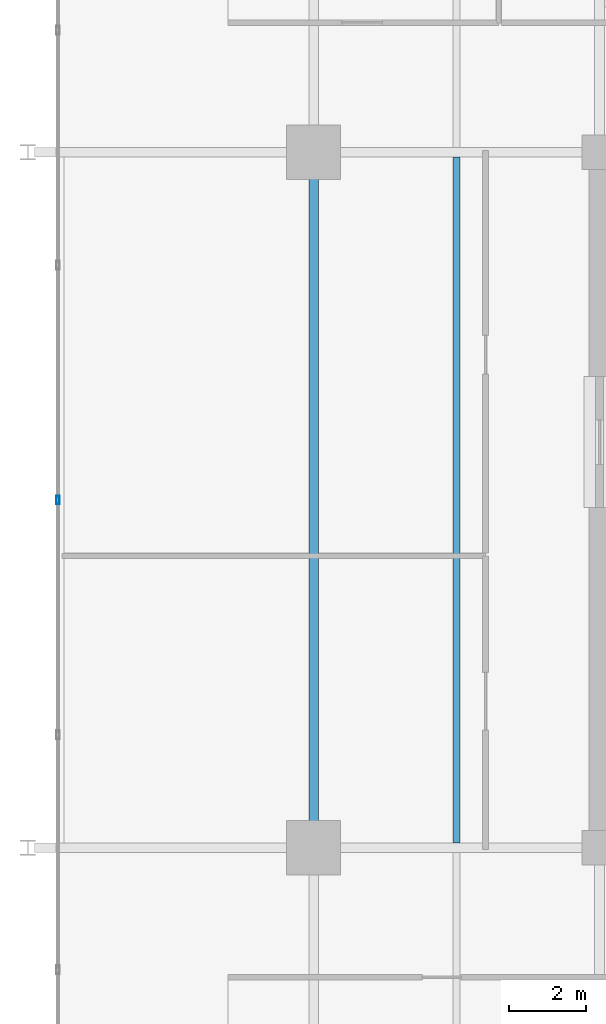
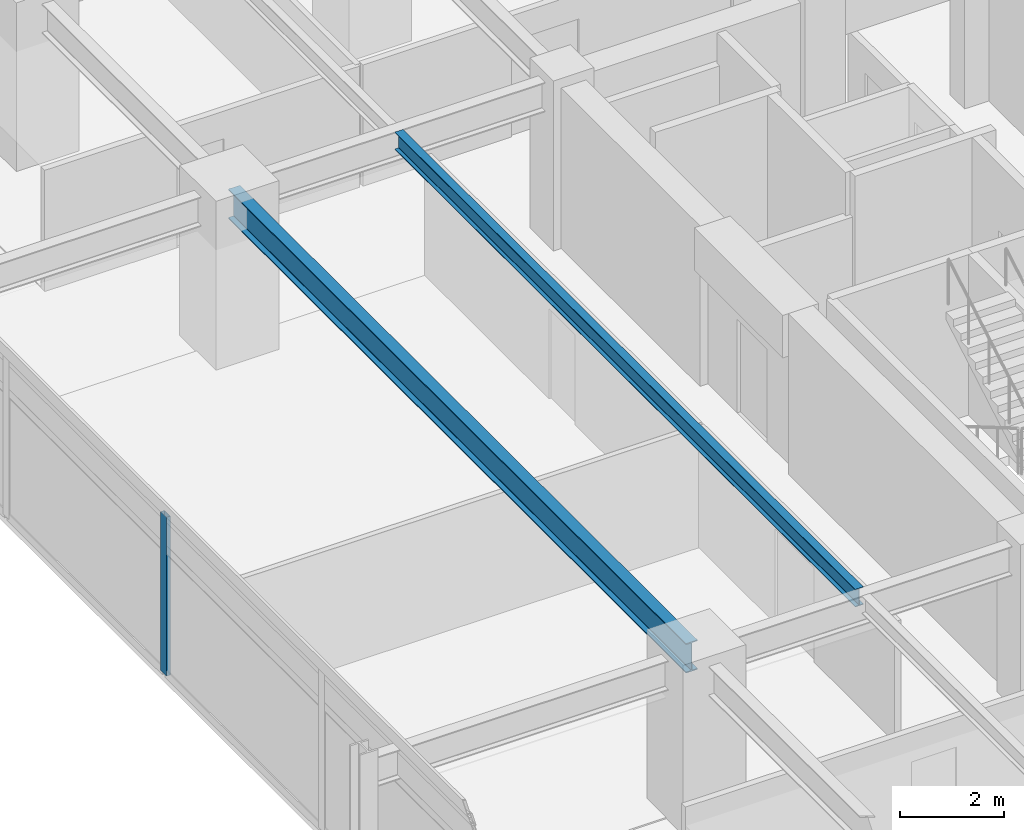
# One storey, part 6 of 21: 2 beams, 1 member, 1 element without a shape of its own.
"""IFC4 building model written with IfcOpenShell, lengths in metres."""

from ifc_helpers import new_model, si_unit, direction, frame, origin, origin_2d, place, context, subcontext, project, spatial, hollow_rectangle, i_section, extrude, material, material_profile, profile_set, type_object, element, aggregate, save


model = new_model("IFC4")

# Units and contexts
model_context = context("Model", 3, precision=1e-05, world=origin(), true_north=direction((0.0, 1.0)))
body_context = subcontext(model_context, "Body", "Model", "MODEL_VIEW")
ifc_project = project(units=[si_unit("LENGTHUNIT", "METRE"), si_unit("AREAUNIT", "SQUARE_METRE"), si_unit("VOLUMEUNIT", "CUBIC_METRE"), si_unit("PLANEANGLEUNIT", "RADIAN"), si_unit("MASSUNIT", "GRAM", prefix="KILO")], contexts=[model_context])

# Site, building, storey
site_placement = place(None, origin())
site = spatial("IfcSite", under=ifc_project, at=site_placement, CompositionType="ELEMENT")
building_placement = place(site_placement, origin())
building = spatial("IfcBuilding", under=site, at=building_placement, Name="Kovane Verandah Tower", CompositionType="ELEMENT")
storey_placement = place(building_placement, frame((0.0, 0.0, 209.199951171875)))
storey = spatial("IfcBuildingStorey", under=building, at=storey_placement, Name="L48", CompositionType="ELEMENT", Elevation=209.199951171875)

# Beam
ifc_material_1 = material(Name="Steel S355", Category="steel")
ifc_material_profile_1 = material_profile(ifc_material_1, i_section(OverallWidth=0.255859375, OverallDepth=0.69287109375, WebThickness=0.014404296875, FlangeThickness=0.023681640625, FilletRadius=0.01513671875, at=origin_2d()), Name="UB686x254x170")
ifc_profile_set_1 = profile_set([ifc_material_profile_1], Name="Steel S355")
beam_type_1 = type_object("IfcBeamType", Name="BM-UB686x170", PredefinedType="BEAM", material=ifc_profile_set_1)
beam_1_placement = place(storey_placement, frame((21.60009765625, 18.679931640625, 3.428466796875), z_axis=(0.0, 1.0, 0.0), x_axis=(-1.0, 0.0, 0.0)))
element("IfcBeam", 1, at=beam_1_placement, inside=storey, type_object=beam_type_1, Name="L48 Primary Tower Girder G-RW2", PredefinedType="BEAM", context=body_context, shape_type="SweptSolid", body=[
    extrude(i_section(OverallWidth=0.255859375, OverallDepth=0.69287109375, WebThickness=0.014404296875, FlangeThickness=0.023681640625, FilletRadius=0.01513671875, at=origin_2d()), origin(), (0.0, 0.0, 1.0), 17.64013671875),
])

# Curtain wall, member
ifc_material_2 = material(Name="Champagne Anodised Aluminium Frame with Low-E Clear Laminated Glass", Category="aluminium")
curtain_wall_type = type_object("IfcCurtainWallType", Name="CW-SYS-03-MID", PredefinedType="NOTDEFINED", material=ifc_material_2)
curtain_wall_placement = place(storey_placement, origin())
curtain_wall = element("IfcCurtainWall", 2, at=curtain_wall_placement, inside=storey, type_object=curtain_wall_type, Name="L48 W Unitised Curtain Wall", PredefinedType="NOTDEFINED")
ifc_material_3 = material(Name="Champagne Anodised Aluminium 6063-T6", Category="aluminium")
ifc_material_profile_2 = material_profile(ifc_material_3, hollow_rectangle(XDim=0.0849609375, YDim=0.22998046875, WallThickness=0.00390625, at=origin_2d()), Name="AL85x230x4")
ifc_profile_set_2 = profile_set([ifc_material_profile_2], Name="Champagne Anodised Aluminium 6063-T6")
member_type = type_object("IfcMemberType", Name="CW-MUL-85x230", PredefinedType="MULLION", material=ifc_profile_set_2)
member_placement = place(storey_placement, frame((14.982177734375, 27.5, 0.02001953125), z_axis=(0.0, 0.0, 1.0), x_axis=(-1.0, 0.0, 0.0)))
member = element("IfcMember", 3, at=member_placement, type_object=member_type, Name="L48 W Unitised Curtain Wall Mullion 4", PredefinedType="MULLION", context=body_context, shape_type="SweptSolid", body=[
    extrude(hollow_rectangle(XDim=0.0849609375, YDim=0.22998046875, WallThickness=0.00390625, at=origin_2d()), origin(), (0.0, 0.0, 1.0), 3.735107421875),
])
aggregate(curtain_wall, [member])

# Beam
ifc_material_profile_3 = material_profile(ifc_material_1, i_section(OverallWidth=0.179443359375, OverallDepth=0.412841796875, WebThickness=0.009521484375, FlangeThickness=0.01611328125, FilletRadius=0.01025390625, at=origin_2d()), Name="UB406x178x74")
ifc_profile_set_3 = profile_set([ifc_material_profile_3], Name="Steel S355")
beam_type_2 = type_object("IfcBeamType", Name="JST-UB406x74", PredefinedType="JOIST", material=ifc_profile_set_3)
beam_2_placement = place(storey_placement, frame((25.300048828125, 18.6259765625, 3.568603515625), z_axis=(0.0, 1.0, 0.0), x_axis=(-1.0, 0.0, 0.0)))
element("IfcBeam", 4, at=beam_2_placement, inside=storey, type_object=beam_type_2, Name="L48 Secondary Composite Joist J-W1", PredefinedType="JOIST", context=body_context, shape_type="SweptSolid", body=[
    extrude(i_section(OverallWidth=0.179443359375, OverallDepth=0.412841796875, WebThickness=0.009521484375, FlangeThickness=0.01611328125, FilletRadius=0.01025390625, at=origin_2d()), origin(), (0.0, 0.0, 1.0), 17.748046875),
])

save(model, "model.ifc")
